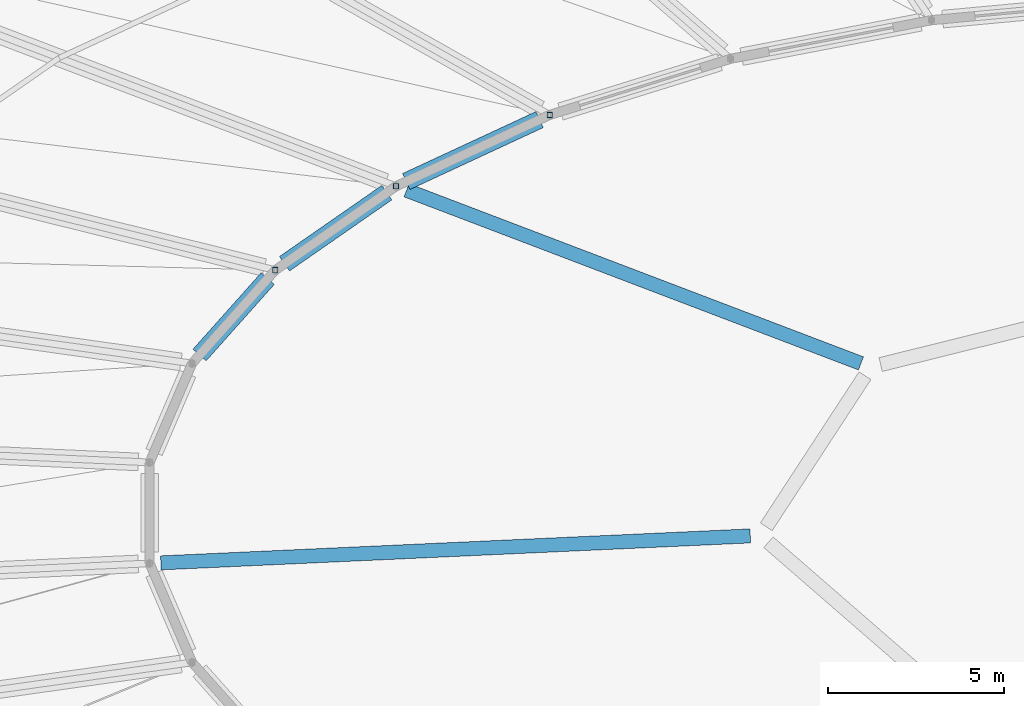
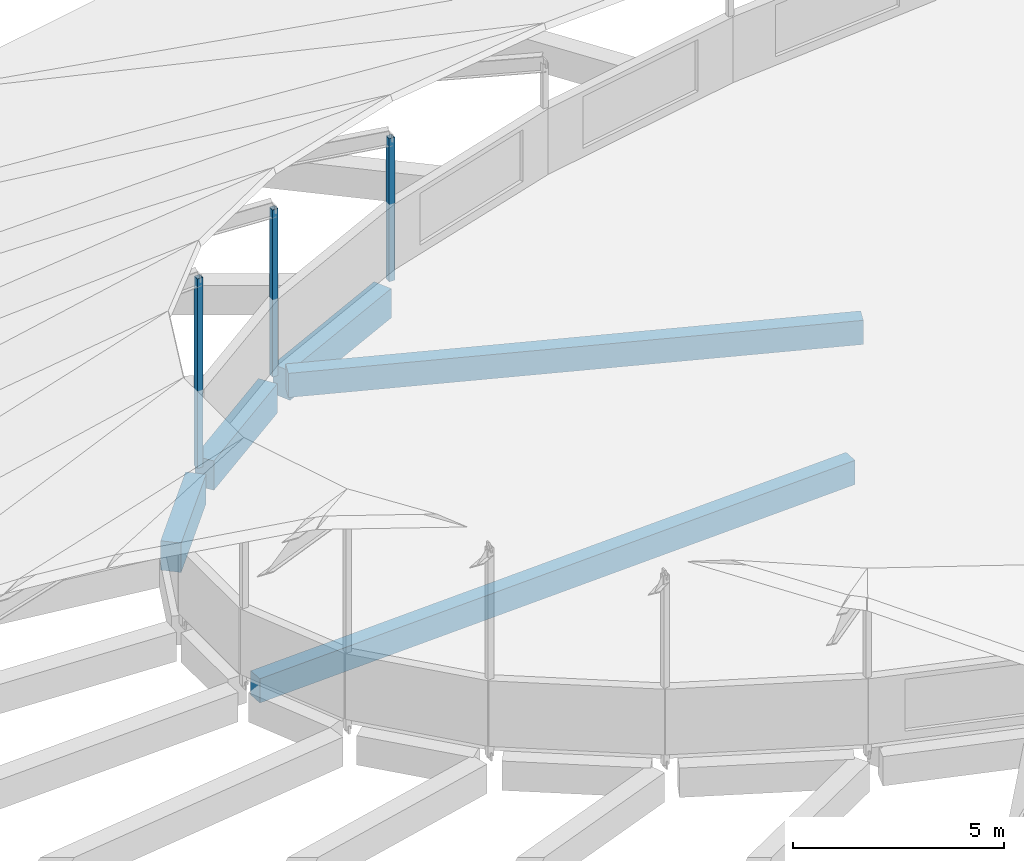
# One storey, part 41 of 142: 5 beams, 3 members.
"""IFC4 building model written with IfcOpenShell, lengths in metres."""

from ifc_helpers import new_model, si_unit, direction, frame, origin, origin_2d, place, context, subcontext, project, spatial, rectangle, hollow_rectangle, extrude, material, material_profile, profile_set, type_object, element, save


model = new_model("IFC4")

# Units and contexts
model_context = context("Model", 3, precision=1e-05, world=origin(), true_north=direction((0.0, 1.0)))
body_context = subcontext(model_context, "Body", "Model", "MODEL_VIEW")
ifc_project = project(units=[si_unit("LENGTHUNIT", "METRE"), si_unit("AREAUNIT", "SQUARE_METRE"), si_unit("VOLUMEUNIT", "CUBIC_METRE"), si_unit("PLANEANGLEUNIT", "RADIAN"), si_unit("MASSUNIT", "GRAM", prefix="KILO")], contexts=[model_context])

# Site, building, storey
site_placement = place(None, origin())
site = spatial("IfcSite", under=ifc_project, at=site_placement, CompositionType="ELEMENT")
building_placement = place(site_placement, origin())
building = spatial("IfcBuilding", under=site, at=building_placement, Name="Corvandel Quay Wholesale Market", CompositionType="ELEMENT")
storey_placement = place(building_placement, frame((0.0, 0.0, 10.800048828125)))
storey = spatial("IfcBuildingStorey", under=building, at=storey_placement, Name="L02", CompositionType="ELEMENT", Elevation=10.800048828125)

# Beams
ifc_material_1 = material(Name="Precast concrete C45/55", Category="concrete")
ifc_material_profile_1 = material_profile(ifc_material_1, rectangle(XDim=0.5, YDim=0.85009765625, at=origin_2d()), Name="PC-GIR-500x850")
ifc_profile_set_1 = profile_set([ifc_material_profile_1], Name="Precast concrete C45/55")
beam_type_1 = type_object("IfcBeamType", Name="Fish Hall Radial Girder G04 500x850", PredefinedType="USERDEFINED", material=ifc_profile_set_1)
beam_1_placement = place(storey_placement, frame((93.71875, 127.17431640625, -0.7451171875), z_axis=(-0.907007372717, -0.42111474189, 0.0), x_axis=(0.42111474189, -0.907007372717, 0.0)))
element("IfcBeam", 1, at=beam_1_placement, inside=storey, type_object=beam_type_1, Name="Beam BM-0602", ObjectType="GIRDER", PredefinedType="USERDEFINED", context=body_context, shape_type="SweptSolid", body=[
    extrude(rectangle(XDim=0.5, YDim=0.85009765625, at=origin_2d()), origin(), (0.0, 0.0, 1.0), 4.176025390625),
])
beam_2_placement = place(storey_placement, frame((89.378173828125, 125.098388671875, -0.7451171875), z_axis=(-0.821316990169, -0.570472086662, 0.0), x_axis=(0.570472086662, -0.821316990169, 0.0)))
element("IfcBeam", 2, at=beam_2_placement, inside=storey, type_object=beam_type_1, Name="Beam BM-0609", ObjectType="GIRDER", PredefinedType="USERDEFINED", context=body_context, shape_type="SweptSolid", body=[
    extrude(rectangle(XDim=0.5, YDim=0.85009765625, at=origin_2d()), origin(), (0.0, 0.0, 1.0), 3.538818359375),
])
beam_3_placement = place(storey_placement, frame((85.99609375, 122.658203125, -0.7451171875), z_axis=(-0.665705733579, -0.746214363491, 0.0), x_axis=(0.746214363491, -0.665705733579, 0.0)))
element("IfcBeam", 3, at=beam_3_placement, inside=storey, type_object=beam_type_1, Name="Beam BM-0616", ObjectType="GIRDER", PredefinedType="USERDEFINED", context=body_context, shape_type="SweptSolid", body=[
    extrude(rectangle(XDim=0.5, YDim=0.85009765625, at=origin_2d()), origin(), (0.0, 0.0, 1.0), 2.9111328125),
])
ifc_material_profile_2 = material_profile(ifc_material_1, rectangle(XDim=0.39990234375, YDim=0.699951171875, at=origin_2d()), Name="PC-GIR-400x700")
ifc_profile_set_2 = profile_set([ifc_material_profile_2], Name="Precast concrete C45/55")
beam_type_2 = type_object("IfcBeamType", Name="Roof Deck Primary Girder G07 400x700", PredefinedType="USERDEFINED", material=ifc_profile_set_2)
beam_4_placement = place(storey_placement, frame((89.93994140625, 125.1669921875, -0.550048828125), z_axis=(0.934485495187, -0.356001206858, 0.0), x_axis=(0.356001206858, 0.934485495187, 0.0)))
element("IfcBeam", 4, at=beam_4_placement, inside=storey, type_object=beam_type_2, Name="Beam BM-0505", ObjectType="GIRDER", PredefinedType="USERDEFINED", context=body_context, shape_type="SweptSolid", body=[
    extrude(rectangle(XDim=0.39990234375, YDim=0.699951171875, at=origin_2d()), origin(), (0.0, 0.0, 1.0), 13.814453125),
])
beam_5_placement = place(storey_placement, frame((82.959716796875, 114.58056640625, -0.550048828125), z_axis=(0.998955768559, 0.045687771482, 0.0), x_axis=(-0.045687771482, 0.998955768559, 0.0)))
element("IfcBeam", 5, at=beam_5_placement, inside=storey, type_object=beam_type_2, Name="Beam BM-0509", ObjectType="GIRDER", PredefinedType="USERDEFINED", context=body_context, shape_type="SweptSolid", body=[
    extrude(rectangle(XDim=0.39990234375, YDim=0.699951171875, at=origin_2d()), origin(), (0.0, 0.0, 1.0), 16.76318359375),
])

# Members
ifc_material_2 = material(Name="Steel A500 Grade C", Category="steel")
ifc_material_profile_3 = material_profile(ifc_material_2, hollow_rectangle(XDim=0.152099609375, YDim=0.152099609375, WallThickness=0.0087890625, at=origin_2d()), Name="HSS6X6X3/8")
ifc_profile_set_3 = profile_set([ifc_material_profile_3], Name="Steel A500 Grade C")
member_type = type_object("IfcMemberType", Name="Sawtooth Truss Web Brace BR03 HSS6X6", PredefinedType="BRACE", material=ifc_profile_set_3)
member_1_placement = place(storey_placement, frame((94.009033203125, 127.30908203125, -0.340087890625), z_axis=(0.0, 0.0, 1.0), x_axis=(1.0, 0.0, 0.0)))
element("IfcMember", 6, at=member_1_placement, inside=storey, type_object=member_type, Name="Member MEM-0017", PredefinedType="BRACE", context=body_context, shape_type="SweptSolid", body=[
    extrude(hollow_rectangle(XDim=0.152099609375, YDim=0.152099609375, WallThickness=0.0087890625, at=origin_2d()), origin(), (0.0, 0.0, 1.0), 4.14208984375),
])
member_2_placement = place(storey_placement, frame((89.64111328125, 125.281005859375, -0.340087890625), z_axis=(0.0, 0.0, 1.0), x_axis=(1.0, 0.0, 0.0)))
element("IfcMember", 7, at=member_2_placement, inside=storey, type_object=member_type, Name="Member MEM-0020", PredefinedType="BRACE", context=body_context, shape_type="SweptSolid", body=[
    extrude(hollow_rectangle(XDim=0.152099609375, YDim=0.152099609375, WallThickness=0.0087890625, at=origin_2d()), origin(), (0.0, 0.0, 1.0), 4.8359375),
])
member_3_placement = place(storey_placement, frame((86.208984375, 122.89697265625, -0.340087890625), z_axis=(0.0, 0.0, 1.0), x_axis=(1.0, 0.0, 0.0)))
element("IfcMember", 8, at=member_3_placement, inside=storey, type_object=member_type, Name="Member MEM-0023", PredefinedType="BRACE", context=body_context, shape_type="SweptSolid", body=[
    extrude(hollow_rectangle(XDim=0.152099609375, YDim=0.152099609375, WallThickness=0.0087890625, at=origin_2d()), origin(), (0.0, 0.0, 1.0), 5.488037109375),
])

save(model, "model.ifc")
